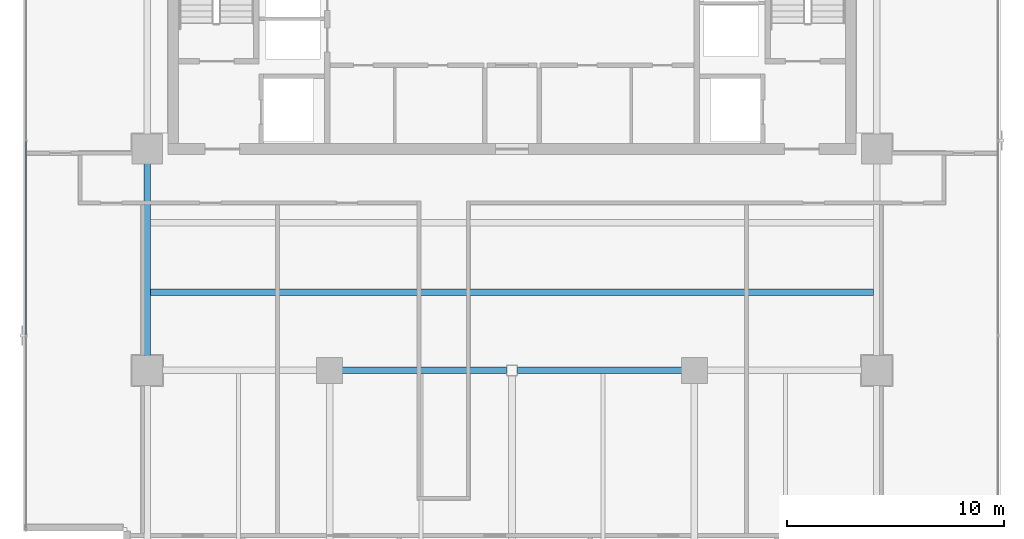
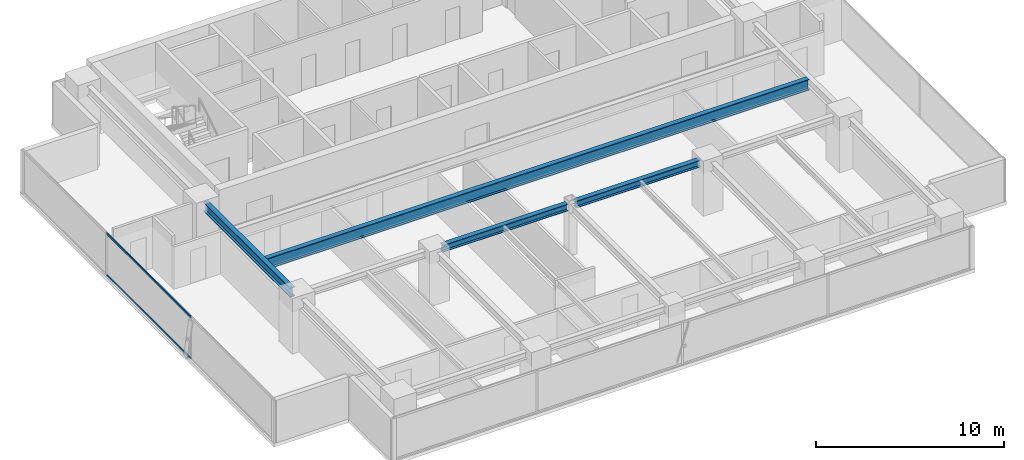
# One storey, part 8 of 26: 4 beams, 2 members, 1 element without a shape of its own.
"""IFC4 building model written with IfcOpenShell, lengths in metres."""

from ifc_helpers import new_model, si_unit, direction, frame, origin, origin_2d, place, context, subcontext, project, spatial, hollow_rectangle, i_section, extrude, source, transform, mapped, material, layer, layer_set, material_profile, profile_set, type_object, element, aggregate, save


model = new_model("IFC4")

# Units and contexts
model_context = context("Model", 3, precision=1e-05, world=origin(), true_north=direction((0.0, 1.0)))
body_context = subcontext(model_context, "Body", "Model", "MODEL_VIEW")
ifc_project = project(units=[si_unit("LENGTHUNIT", "METRE"), si_unit("AREAUNIT", "SQUARE_METRE"), si_unit("VOLUMEUNIT", "CUBIC_METRE"), si_unit("PLANEANGLEUNIT", "RADIAN"), si_unit("MASSUNIT", "GRAM", prefix="KILO")], contexts=[model_context])

# Site, building, storey
site_placement = place(None, origin())
site = spatial("IfcSite", under=ifc_project, at=site_placement, CompositionType="ELEMENT")
building_placement = place(site_placement, origin())
building = spatial("IfcBuilding", under=site, at=building_placement, Name="Sumidabori Civic Tower", CompositionType="ELEMENT")
storey_placement = place(building_placement, frame((0.0, 0.0, 254.0)))
storey = spatial("IfcBuildingStorey", under=building, at=storey_placement, Name="L66", CompositionType="ELEMENT", Elevation=254.0)

# Beams
ifc_material_1 = material(Name="Steel SN490", Category="steel")
ifc_material_profile_1 = material_profile(ifc_material_1, i_section(OverallWidth=0.300048828125, OverallDepth=0.60009765625, WebThickness=0.015380859375, FlangeThickness=0.030029296875, at=origin_2d()), Name="HE 600 B")
ifc_profile_set_1 = profile_set([ifc_material_profile_1], Name="Steel SN490")
beam_type_1 = type_object("IfcBeamType", Name="BM-GIRD-600", PredefinedType="BEAM", material=ifc_profile_set_1)
shared_shape_1 = source(origin(), body_context, "Body", "SweptSolid", [
    extrude(i_section(OverallWidth=0.300048828125, OverallDepth=0.60009765625, WebThickness=0.015380859375, FlangeThickness=0.030029296875, at=origin_2d()), origin(), (0.0, 0.0, 1.0), 9.239990234375),
])
beam_1_placement = place(storey_placement, frame((-16.800048828125, 0.47998046875, 3.070068359375), z_axis=(0.0, 1.0, 0.0), x_axis=(-1.0, 0.0, 0.0)))
element("IfcBeam", 1, at=beam_1_placement, inside=storey, type_object=beam_type_1, Name="Primary Girder L66 GY-10", PredefinedType="BEAM", context=body_context, shape_type="MappedRepresentation", body=[
    mapped(shared_shape_1, transform((0.0, 0.0, 0.0), x_axis=(1.0, 0.0, 0.0), y_axis=(0.0, 1.0, 0.0), z_axis=(0.0, 0.0, 1.0), scale=1.0)),
])
ifc_material_profile_2 = material_profile(ifc_material_1, i_section(OverallWidth=0.300048828125, OverallDepth=0.699951171875, WebThickness=0.01708984375, FlangeThickness=0.031982421875, at=origin_2d()), Name="HE 700 B")
ifc_profile_set_2 = profile_set([ifc_material_profile_2], Name="Steel SN490")
beam_type_2 = type_object("IfcBeamType", Name="BM-GIRD-700", PredefinedType="BEAM", material=ifc_profile_set_2)
shared_shape_2 = source(origin(), body_context, "Body", "SweptSolid", [
    extrude(i_section(OverallWidth=0.300048828125, OverallDepth=0.699951171875, WebThickness=0.01708984375, FlangeThickness=0.031982421875, at=origin_2d()), origin(), (0.0, 0.0, 1.0), 33.2998046875),
])
beam_2_placement = place(storey_placement, frame((-16.64990234375, 3.60009765625, 3.02001953125), z_axis=(1.0, 0.0, 0.0), x_axis=(0.0, 1.0, 0.0)))
element("IfcBeam", 2, at=beam_2_placement, inside=storey, type_object=beam_type_2, Name="North Bay Floor Beam L66 JSTN-18", PredefinedType="BEAM", context=body_context, shape_type="MappedRepresentation", body=[
    mapped(shared_shape_2, transform((0.0, 0.0, 0.0), x_axis=(1.0, 0.0, 0.0), y_axis=(0.0, 1.0, 0.0), z_axis=(0.0, 0.0, 1.0), scale=1.0)),
])
ifc_material_profile_3 = material_profile(ifc_material_1, i_section(OverallWidth=0.300048828125, OverallDepth=0.449951171875, WebThickness=0.013916015625, FlangeThickness=0.02587890625, at=origin_2d()), Name="HE 450 B")
ifc_profile_set_3 = profile_set([ifc_material_profile_3], Name="Steel SN490")
beam_type_3 = type_object("IfcBeamType", Name="BM-GIRD-450", PredefinedType="BEAM", material=ifc_profile_set_3)
shared_shape_3 = source(origin(), body_context, "Body", "SweptSolid", [
    extrude(i_section(OverallWidth=0.300048828125, OverallDepth=0.449951171875, WebThickness=0.013916015625, FlangeThickness=0.02587890625, at=origin_2d()), origin(), (0.0, 0.0, 1.0), 7.669921875),
])
for number, where, z_axis, x_axis, name in (
    (3, (-7.919921875, 0.0, 3.14501953125), (1.0, 0.0, 0.0), (0.0, 1.0, 0.0), "Primary Girder L66 GX-06"),
    (4, (0.25, 0.0, 3.14501953125), (1.0, 0.0, 0.0), (0.0, 1.0, 0.0), "Primary Girder L66 GX-07"),
):
    element("IfcBeam", number, at=place(storey_placement, frame(where, z_axis=z_axis, x_axis=x_axis)), inside=storey, type_object=beam_type_3, Name=name, PredefinedType="BEAM", context=body_context, shape_type="MappedRepresentation", body=[
        mapped(shared_shape_3, transform((0.0, 0.0, 0.0), x_axis=(1.0, 0.0, 0.0), y_axis=(0.0, 1.0, 0.0), z_axis=(0.0, 0.0, 1.0), scale=1.0)),
    ])

# Curtain wall, members
ifc_material_2 = material(Name="Anodised Bronze Aluminium AW-6063-T6", Category="aluminium")
ifc_layer = layer(ifc_material_2, 0.179931640625, Name="Anodised Bronze Aluminium AW-6063-T6")
ifc_layer_set = layer_set([ifc_layer], Name="Anodised Bronze Aluminium AW-6063-T6")
curtain_wall_type = type_object("IfcCurtainWallType", Name="CW-SYS-5", PredefinedType="NOTDEFINED", material=ifc_layer_set)
curtain_wall_placement = place(storey_placement, origin())
curtain_wall = element("IfcCurtainWall", 5, at=curtain_wall_placement, inside=storey, type_object=curtain_wall_type, Name="Curtain Wall CW:L66:R10", PredefinedType="NOTDEFINED")
ifc_material_profile_4 = material_profile(ifc_material_2, hollow_rectangle(XDim=0.06005859375, YDim=0.1298828125, WallThickness=0.0048828125, at=origin_2d()), Name="ALU TRANSOM 130x60")
ifc_profile_set_4 = profile_set([ifc_material_profile_4], Name="Anodised Bronze Aluminium AW-6063-T6")
member_type = type_object("IfcMemberType", Name="CW-TRN-130", PredefinedType="USERDEFINED", material=ifc_profile_set_4)
shared_shape_4 = source(origin(), body_context, "Body", "SweptSolid", [
    extrude(hollow_rectangle(XDim=0.06005859375, YDim=0.1298828125, WallThickness=0.0048828125, at=origin_2d()), origin(), (0.0, 0.0, 1.0), 8.920166015625),
])
member_1_placement = place(storey_placement, frame((-22.3798828125, 10.56005859375, 0.030029296875), z_axis=(0.0, -1.0, 0.0), x_axis=(1.0, 0.0, 0.0)))
member_1 = element("IfcMember", 6, at=member_1_placement, type_object=member_type, Name="CW-5 transom 2.1", ObjectType="TRANSOM", PredefinedType="USERDEFINED", context=body_context, shape_type="MappedRepresentation", body=[
    mapped(shared_shape_4, transform((0.0, 0.0, 0.0), x_axis=(1.0, 0.0, 0.0), y_axis=(0.0, 1.0, 0.0), z_axis=(0.0, 0.0, 1.0), scale=1.0)),
])
member_2_placement = place(storey_placement, frame((-22.3798828125, 10.56005859375, 2.719970703125), z_axis=(0.0, -1.0, 0.0), x_axis=(1.0, 0.0, 0.0)))
member_2 = element("IfcMember", 7, at=member_2_placement, type_object=member_type, Name="CW-5 transom 2.2", ObjectType="TRANSOM", PredefinedType="USERDEFINED", context=body_context, shape_type="MappedRepresentation", body=[
    mapped(shared_shape_4, transform((0.0, 0.0, 0.0), x_axis=(1.0, 0.0, 0.0), y_axis=(0.0, 1.0, 0.0), z_axis=(0.0, 0.0, 1.0), scale=1.0)),
])
aggregate(curtain_wall, [member_1, member_2])

save(model, "model.ifc")
